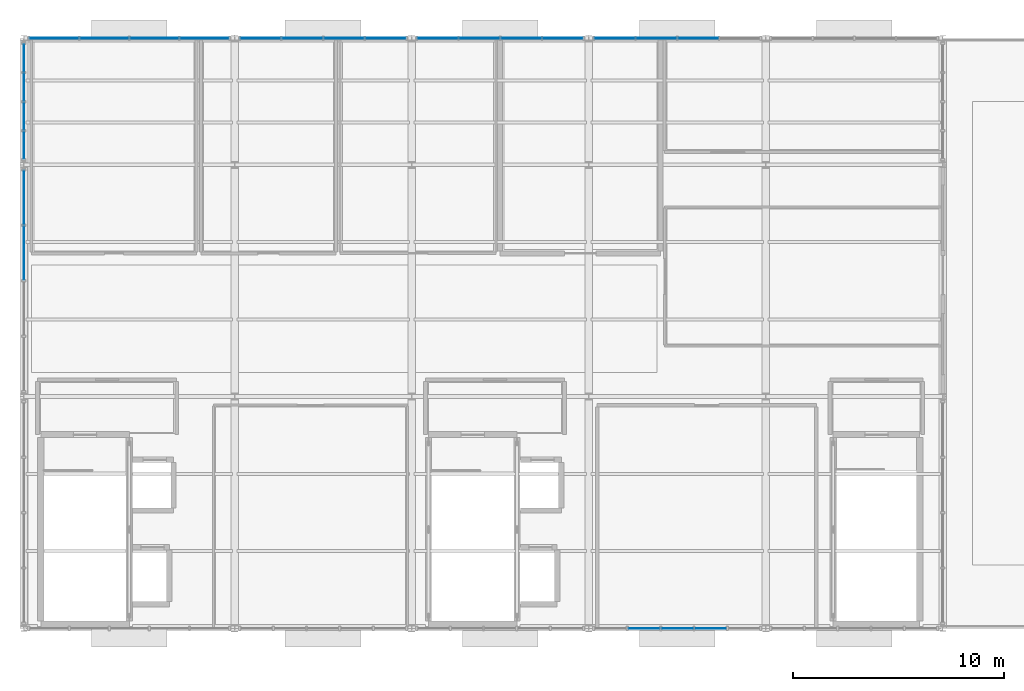
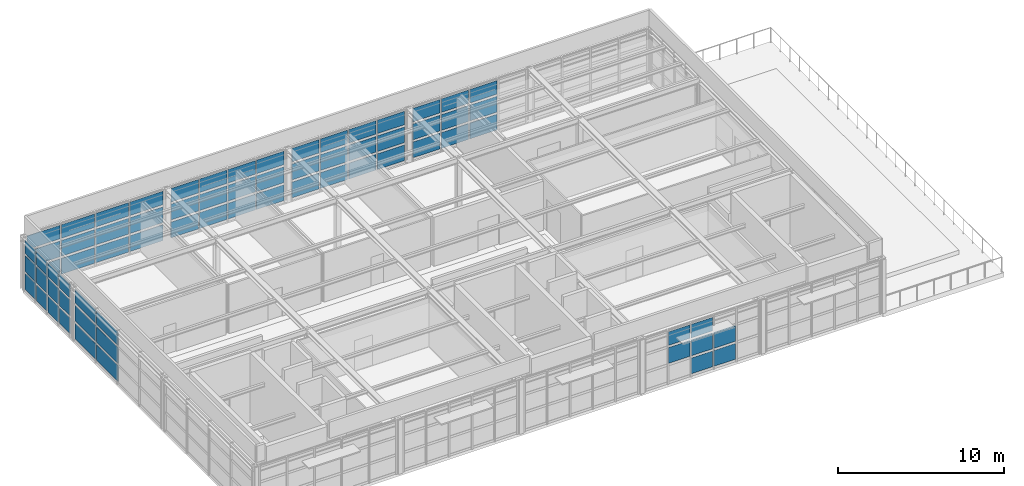
# One storey, part 12 of 18: 70 plates, 7 elements without a shape of their own.
"""IFC4 building model written with IfcOpenShell, lengths in metres."""

from ifc_helpers import new_model, si_unit, direction, frame, origin, origin_2d, place, context, subcontext, project, spatial, rectangle, extrude, material, layer, layer_set, type_object, element, aggregate, save


model = new_model("IFC4")

# Units and contexts
model_context = context("Model", 3, precision=1e-05, world=origin(), true_north=direction((0.0, 1.0)))
body_context = subcontext(model_context, "Body", "Model", "MODEL_VIEW")
ifc_project = project(units=[si_unit("LENGTHUNIT", "METRE"), si_unit("AREAUNIT", "SQUARE_METRE"), si_unit("VOLUMEUNIT", "CUBIC_METRE"), si_unit("PLANEANGLEUNIT", "RADIAN"), si_unit("MASSUNIT", "GRAM", prefix="KILO")], contexts=[model_context])

# Site, building, storey
site_placement = place(None, origin())
site = spatial("IfcSite", under=ifc_project, at=site_placement, CompositionType="ELEMENT")
building_placement = place(site_placement, origin())
building = spatial("IfcBuilding", under=site, at=building_placement, Name="Sitalva Quay Ferry Terminal", CompositionType="ELEMENT")
storey_placement = place(building_placement, frame((0.0, 0.0, 18.60009765625)))
storey = spatial("IfcBuildingStorey", under=building, at=storey_placement, Name="L05", CompositionType="ELEMENT", Elevation=18.60009765625)

# Curtain wall, plates
ifc_material_1 = material(Name="Anodised Aluminium & Low-E Glazing", Category="aluminium")
ifc_layer_1 = layer(ifc_material_1, 0.159912109375)
ifc_layer_set_1 = layer_set([ifc_layer_1], Name="Anodised Aluminium & Low-E Glazing")
curtain_wall_type = type_object("IfcCurtainWallType", Name="CW_VTS_Sloped", PredefinedType="USERDEFINED", material=ifc_layer_set_1)
curtain_wall_1_placement = place(storey_placement, origin())
curtain_wall_1 = element("IfcCurtainWall", 1, at=curtain_wall_1_placement, inside=storey, type_object=curtain_wall_type, Name="L05 VTS bridge north glazing (CW-L05-155)", ObjectType="CURTAIN_WALL", PredefinedType="USERDEFINED")
ifc_material_2 = material(Name="Anti-Glare Bridge Laminated Glazing", Category="glass")
ifc_layer_2 = layer(ifc_material_2, 0.0380859375)
ifc_layer_set_2 = layer_set([ifc_layer_2], Name="Anti-Glare Bridge Laminated Glazing")
plate_type_1 = type_object("IfcPlateType", Name="Panel_Bridge_IGU_38", PredefinedType="CURTAIN_PANEL", material=ifc_layer_set_2)
plate_1_placement = place(storey_placement, frame((75.429931640625, 106.0, 1.48486328125), z_axis=(0.0, 0.0, 1.0), x_axis=(1.0, 0.0, 0.0)))
plate_1 = element("IfcPlate", 2, at=plate_1_placement, type_object=plate_type_1, Name="CW-L05-155-P0-1", PredefinedType="CURTAIN_PANEL", context=body_context, shape_type="SweptSolid", body=[
    extrude(rectangle(XDim=2.2900390625, YDim=0.0380859375, at=origin_2d()), origin(), (0.0, 0.0, 1.0), 1.155029296875),
])
plate_2_placement = place(storey_placement, frame((75.429931640625, 106.0, 2.8046875), z_axis=(0.0, 0.0, 1.0), x_axis=(1.0, 0.0, 0.0)))
plate_2 = element("IfcPlate", 3, at=plate_2_placement, type_object=plate_type_1, Name="CW-L05-155-P0-2", PredefinedType="CURTAIN_PANEL", context=body_context, shape_type="SweptSolid", body=[
    extrude(rectangle(XDim=2.2900390625, YDim=0.0380859375, at=origin_2d()), origin(), (0.0, 0.0, 1.0), 0.989990234375),
])
plate_3_placement = place(storey_placement, frame((77.81005859375, 106.0, 1.48486328125), z_axis=(0.0, 0.0, 1.0), x_axis=(1.0, 0.0, 0.0)))
plate_3 = element("IfcPlate", 4, at=plate_3_placement, type_object=plate_type_1, Name="CW-L05-155-P1-1", PredefinedType="CURTAIN_PANEL", context=body_context, shape_type="SweptSolid", body=[
    extrude(rectangle(XDim=2.2900390625, YDim=0.0380859375, at=origin_2d()), origin(), (0.0, 0.0, 1.0), 1.155029296875),
])
plate_4_placement = place(storey_placement, frame((77.81005859375, 106.0, 2.8046875), z_axis=(0.0, 0.0, 1.0), x_axis=(1.0, 0.0, 0.0)))
plate_4 = element("IfcPlate", 5, at=plate_4_placement, type_object=plate_type_1, Name="CW-L05-155-P1-2", PredefinedType="CURTAIN_PANEL", context=body_context, shape_type="SweptSolid", body=[
    extrude(rectangle(XDim=2.2900390625, YDim=0.0380859375, at=origin_2d()), origin(), (0.0, 0.0, 1.0), 0.989990234375),
])
plate_5_placement = place(storey_placement, frame((80.18994140625, 106.0, 1.48486328125), z_axis=(0.0, 0.0, 1.0), x_axis=(1.0, 0.0, 0.0)))
plate_5 = element("IfcPlate", 6, at=plate_5_placement, type_object=plate_type_1, Name="CW-L05-155-P2-1", PredefinedType="CURTAIN_PANEL", context=body_context, shape_type="SweptSolid", body=[
    extrude(rectangle(XDim=2.2900390625, YDim=0.0380859375, at=origin_2d()), origin(), (0.0, 0.0, 1.0), 1.155029296875),
])
plate_6_placement = place(storey_placement, frame((80.18994140625, 106.0, 2.8046875), z_axis=(0.0, 0.0, 1.0), x_axis=(1.0, 0.0, 0.0)))
plate_6 = element("IfcPlate", 7, at=plate_6_placement, type_object=plate_type_1, Name="CW-L05-155-P2-2", PredefinedType="CURTAIN_PANEL", context=body_context, shape_type="SweptSolid", body=[
    extrude(rectangle(XDim=2.2900390625, YDim=0.0380859375, at=origin_2d()), origin(), (0.0, 0.0, 1.0), 0.989990234375),
])
plate_7_placement = place(storey_placement, frame((82.570068359375, 106.0, 1.48486328125), z_axis=(0.0, 0.0, 1.0), x_axis=(1.0, 0.0, 0.0)))
plate_7 = element("IfcPlate", 8, at=plate_7_placement, type_object=plate_type_1, Name="CW-L05-155-P3-1", PredefinedType="CURTAIN_PANEL", context=body_context, shape_type="SweptSolid", body=[
    extrude(rectangle(XDim=2.2900390625, YDim=0.0380859375, at=origin_2d()), origin(), (0.0, 0.0, 1.0), 1.155029296875),
])
plate_8_placement = place(storey_placement, frame((82.570068359375, 106.0, 2.8046875), z_axis=(0.0, 0.0, 1.0), x_axis=(1.0, 0.0, 0.0)))
plate_8 = element("IfcPlate", 9, at=plate_8_placement, type_object=plate_type_1, Name="CW-L05-155-P3-2", PredefinedType="CURTAIN_PANEL", context=body_context, shape_type="SweptSolid", body=[
    extrude(rectangle(XDim=2.2900390625, YDim=0.0380859375, at=origin_2d()), origin(), (0.0, 0.0, 1.0), 0.989990234375),
])

curtain_wall_2_placement = place(storey_placement, origin())
curtain_wall_2 = element("IfcCurtainWall", 10, at=curtain_wall_2_placement, inside=storey, type_object=curtain_wall_type, Name="L05 VTS bridge north glazing (CW-L05-157)", ObjectType="CURTAIN_WALL", PredefinedType="USERDEFINED")
plate_9_placement = place(storey_placement, frame((85.22998046875, 106.0, 1.48486328125), z_axis=(0.0, 0.0, 1.0), x_axis=(1.0, 0.0, 0.0)))
plate_9 = element("IfcPlate", 11, at=plate_9_placement, type_object=plate_type_1, Name="CW-L05-157-P0-1", PredefinedType="CURTAIN_PANEL", context=body_context, shape_type="SweptSolid", body=[
    extrude(rectangle(XDim=1.889892578125, YDim=0.0380859375, at=origin_2d()), origin(), (0.0, 0.0, 1.0), 1.155029296875),
])
plate_10_placement = place(storey_placement, frame((85.22998046875, 106.0, 2.8046875), z_axis=(0.0, 0.0, 1.0), x_axis=(1.0, 0.0, 0.0)))
plate_10 = element("IfcPlate", 12, at=plate_10_placement, type_object=plate_type_1, Name="CW-L05-157-P0-2", PredefinedType="CURTAIN_PANEL", context=body_context, shape_type="SweptSolid", body=[
    extrude(rectangle(XDim=1.889892578125, YDim=0.0380859375, at=origin_2d()), origin(), (0.0, 0.0, 1.0), 0.989990234375),
])
plate_11_placement = place(storey_placement, frame((87.2099609375, 106.0, 1.48486328125), z_axis=(0.0, 0.0, 1.0), x_axis=(1.0, 0.0, 0.0)))
plate_11 = element("IfcPlate", 13, at=plate_11_placement, type_object=plate_type_1, Name="CW-L05-157-P1-1", PredefinedType="CURTAIN_PANEL", context=body_context, shape_type="SweptSolid", body=[
    extrude(rectangle(XDim=1.889892578125, YDim=0.0380859375, at=origin_2d()), origin(), (0.0, 0.0, 1.0), 1.155029296875),
])
plate_12_placement = place(storey_placement, frame((87.2099609375, 106.0, 2.8046875), z_axis=(0.0, 0.0, 1.0), x_axis=(1.0, 0.0, 0.0)))
plate_12 = element("IfcPlate", 14, at=plate_12_placement, type_object=plate_type_1, Name="CW-L05-157-P1-2", PredefinedType="CURTAIN_PANEL", context=body_context, shape_type="SweptSolid", body=[
    extrude(rectangle(XDim=1.889892578125, YDim=0.0380859375, at=origin_2d()), origin(), (0.0, 0.0, 1.0), 0.989990234375),
])
plate_13_placement = place(storey_placement, frame((89.18994140625, 106.0, 1.48486328125), z_axis=(0.0, 0.0, 1.0), x_axis=(1.0, 0.0, 0.0)))
plate_13 = element("IfcPlate", 15, at=plate_13_placement, type_object=plate_type_1, Name="CW-L05-157-P2-1", PredefinedType="CURTAIN_PANEL", context=body_context, shape_type="SweptSolid", body=[
    extrude(rectangle(XDim=1.889892578125, YDim=0.0380859375, at=origin_2d()), origin(), (0.0, 0.0, 1.0), 1.155029296875),
])
plate_14_placement = place(storey_placement, frame((89.18994140625, 106.0, 2.8046875), z_axis=(0.0, 0.0, 1.0), x_axis=(1.0, 0.0, 0.0)))
plate_14 = element("IfcPlate", 16, at=plate_14_placement, type_object=plate_type_1, Name="CW-L05-157-P2-2", PredefinedType="CURTAIN_PANEL", context=body_context, shape_type="SweptSolid", body=[
    extrude(rectangle(XDim=1.889892578125, YDim=0.0380859375, at=origin_2d()), origin(), (0.0, 0.0, 1.0), 0.989990234375),
])
plate_15_placement = place(storey_placement, frame((91.169921875, 106.0, 1.48486328125), z_axis=(0.0, 0.0, 1.0), x_axis=(1.0, 0.0, 0.0)))
plate_15 = element("IfcPlate", 17, at=plate_15_placement, type_object=plate_type_1, Name="CW-L05-157-P3-1", PredefinedType="CURTAIN_PANEL", context=body_context, shape_type="SweptSolid", body=[
    extrude(rectangle(XDim=1.889892578125, YDim=0.0380859375, at=origin_2d()), origin(), (0.0, 0.0, 1.0), 1.155029296875),
])
plate_16_placement = place(storey_placement, frame((91.169921875, 106.0, 2.8046875), z_axis=(0.0, 0.0, 1.0), x_axis=(1.0, 0.0, 0.0)))
plate_16 = element("IfcPlate", 18, at=plate_16_placement, type_object=plate_type_1, Name="CW-L05-157-P3-2", PredefinedType="CURTAIN_PANEL", context=body_context, shape_type="SweptSolid", body=[
    extrude(rectangle(XDim=1.889892578125, YDim=0.0380859375, at=origin_2d()), origin(), (0.0, 0.0, 1.0), 0.989990234375),
])

curtain_wall_3_placement = place(storey_placement, origin())
curtain_wall_3 = element("IfcCurtainWall", 19, at=curtain_wall_3_placement, inside=storey, type_object=curtain_wall_type, Name="L05 VTS bridge north glazing (CW-L05-159)", ObjectType="CURTAIN_WALL", PredefinedType="USERDEFINED")
plate_17_placement = place(storey_placement, frame((93.6298828125, 106.0, 1.48486328125), z_axis=(0.0, 0.0, 1.0), x_axis=(1.0, 0.0, 0.0)))
plate_17 = element("IfcPlate", 20, at=plate_17_placement, type_object=plate_type_1, Name="CW-L05-159-P0-1", PredefinedType="CURTAIN_PANEL", context=body_context, shape_type="SweptSolid", body=[
    extrude(rectangle(XDim=1.889892578125, YDim=0.0380859375, at=origin_2d()), origin(), (0.0, 0.0, 1.0), 1.155029296875),
])
plate_18_placement = place(storey_placement, frame((93.6298828125, 106.0, 2.8046875), z_axis=(0.0, 0.0, 1.0), x_axis=(1.0, 0.0, 0.0)))
plate_18 = element("IfcPlate", 21, at=plate_18_placement, type_object=plate_type_1, Name="CW-L05-159-P0-2", PredefinedType="CURTAIN_PANEL", context=body_context, shape_type="SweptSolid", body=[
    extrude(rectangle(XDim=1.889892578125, YDim=0.0380859375, at=origin_2d()), origin(), (0.0, 0.0, 1.0), 0.989990234375),
])
plate_19_placement = place(storey_placement, frame((95.610107421875, 106.0, 1.48486328125), z_axis=(0.0, 0.0, 1.0), x_axis=(1.0, 0.0, 0.0)))
plate_19 = element("IfcPlate", 22, at=plate_19_placement, type_object=plate_type_1, Name="CW-L05-159-P1-1", PredefinedType="CURTAIN_PANEL", context=body_context, shape_type="SweptSolid", body=[
    extrude(rectangle(XDim=1.889892578125, YDim=0.0380859375, at=origin_2d()), origin(), (0.0, 0.0, 1.0), 1.155029296875),
])
plate_20_placement = place(storey_placement, frame((95.610107421875, 106.0, 2.8046875), z_axis=(0.0, 0.0, 1.0), x_axis=(1.0, 0.0, 0.0)))
plate_20 = element("IfcPlate", 23, at=plate_20_placement, type_object=plate_type_1, Name="CW-L05-159-P1-2", PredefinedType="CURTAIN_PANEL", context=body_context, shape_type="SweptSolid", body=[
    extrude(rectangle(XDim=1.889892578125, YDim=0.0380859375, at=origin_2d()), origin(), (0.0, 0.0, 1.0), 0.989990234375),
])
plate_21_placement = place(storey_placement, frame((97.590087890625, 106.0, 1.48486328125), z_axis=(0.0, 0.0, 1.0), x_axis=(1.0, 0.0, 0.0)))
plate_21 = element("IfcPlate", 24, at=plate_21_placement, type_object=plate_type_1, Name="CW-L05-159-P2-1", PredefinedType="CURTAIN_PANEL", context=body_context, shape_type="SweptSolid", body=[
    extrude(rectangle(XDim=1.889892578125, YDim=0.0380859375, at=origin_2d()), origin(), (0.0, 0.0, 1.0), 1.155029296875),
])
plate_22_placement = place(storey_placement, frame((97.590087890625, 106.0, 2.8046875), z_axis=(0.0, 0.0, 1.0), x_axis=(1.0, 0.0, 0.0)))
plate_22 = element("IfcPlate", 25, at=plate_22_placement, type_object=plate_type_1, Name="CW-L05-159-P2-2", PredefinedType="CURTAIN_PANEL", context=body_context, shape_type="SweptSolid", body=[
    extrude(rectangle(XDim=1.889892578125, YDim=0.0380859375, at=origin_2d()), origin(), (0.0, 0.0, 1.0), 0.989990234375),
])
plate_23_placement = place(storey_placement, frame((99.570068359375, 106.0, 1.48486328125), z_axis=(0.0, 0.0, 1.0), x_axis=(1.0, 0.0, 0.0)))
plate_23 = element("IfcPlate", 26, at=plate_23_placement, type_object=plate_type_1, Name="CW-L05-159-P3-1", PredefinedType="CURTAIN_PANEL", context=body_context, shape_type="SweptSolid", body=[
    extrude(rectangle(XDim=1.889892578125, YDim=0.0380859375, at=origin_2d()), origin(), (0.0, 0.0, 1.0), 1.155029296875),
])
plate_24_placement = place(storey_placement, frame((99.570068359375, 106.0, 2.8046875), z_axis=(0.0, 0.0, 1.0), x_axis=(1.0, 0.0, 0.0)))
plate_24 = element("IfcPlate", 27, at=plate_24_placement, type_object=plate_type_1, Name="CW-L05-159-P3-2", PredefinedType="CURTAIN_PANEL", context=body_context, shape_type="SweptSolid", body=[
    extrude(rectangle(XDim=1.889892578125, YDim=0.0380859375, at=origin_2d()), origin(), (0.0, 0.0, 1.0), 0.989990234375),
])

curtain_wall_4_placement = place(storey_placement, origin())
curtain_wall_4 = element("IfcCurtainWall", 28, at=curtain_wall_4_placement, inside=storey, type_object=curtain_wall_type, Name="L05 VTS bridge north glazing (CW-L05-161)", ObjectType="CURTAIN_WALL", PredefinedType="USERDEFINED")
plate_25_placement = place(storey_placement, frame((102.030029296875, 106.0, 1.48486328125), z_axis=(0.0, 0.0, 1.0), x_axis=(1.0, 0.0, 0.0)))
plate_25 = element("IfcPlate", 29, at=plate_25_placement, type_object=plate_type_1, Name="CW-L05-161-P0-1", PredefinedType="CURTAIN_PANEL", context=body_context, shape_type="SweptSolid", body=[
    extrude(rectangle(XDim=1.889892578125, YDim=0.0380859375, at=origin_2d()), origin(), (0.0, 0.0, 1.0), 1.155029296875),
])
plate_26_placement = place(storey_placement, frame((102.030029296875, 106.0, 2.8046875), z_axis=(0.0, 0.0, 1.0), x_axis=(1.0, 0.0, 0.0)))
plate_26 = element("IfcPlate", 30, at=plate_26_placement, type_object=plate_type_1, Name="CW-L05-161-P0-2", PredefinedType="CURTAIN_PANEL", context=body_context, shape_type="SweptSolid", body=[
    extrude(rectangle(XDim=1.889892578125, YDim=0.0380859375, at=origin_2d()), origin(), (0.0, 0.0, 1.0), 0.989990234375),
])
plate_27_placement = place(storey_placement, frame((104.010009765625, 106.0, 1.48486328125), z_axis=(0.0, 0.0, 1.0), x_axis=(1.0, 0.0, 0.0)))
plate_27 = element("IfcPlate", 31, at=plate_27_placement, type_object=plate_type_1, Name="CW-L05-161-P1-1", PredefinedType="CURTAIN_PANEL", context=body_context, shape_type="SweptSolid", body=[
    extrude(rectangle(XDim=1.889892578125, YDim=0.0380859375, at=origin_2d()), origin(), (0.0, 0.0, 1.0), 1.155029296875),
])
plate_28_placement = place(storey_placement, frame((104.010009765625, 106.0, 2.8046875), z_axis=(0.0, 0.0, 1.0), x_axis=(1.0, 0.0, 0.0)))
plate_28 = element("IfcPlate", 32, at=plate_28_placement, type_object=plate_type_1, Name="CW-L05-161-P1-2", PredefinedType="CURTAIN_PANEL", context=body_context, shape_type="SweptSolid", body=[
    extrude(rectangle(XDim=1.889892578125, YDim=0.0380859375, at=origin_2d()), origin(), (0.0, 0.0, 1.0), 0.989990234375),
])
plate_29_placement = place(storey_placement, frame((105.989990234375, 106.0, 1.48486328125), z_axis=(0.0, 0.0, 1.0), x_axis=(1.0, 0.0, 0.0)))
plate_29 = element("IfcPlate", 33, at=plate_29_placement, type_object=plate_type_1, Name="CW-L05-161-P2-1", PredefinedType="CURTAIN_PANEL", context=body_context, shape_type="SweptSolid", body=[
    extrude(rectangle(XDim=1.889892578125, YDim=0.0380859375, at=origin_2d()), origin(), (0.0, 0.0, 1.0), 1.155029296875),
])
plate_30_placement = place(storey_placement, frame((105.989990234375, 106.0, 2.8046875), z_axis=(0.0, 0.0, 1.0), x_axis=(1.0, 0.0, 0.0)))
plate_30 = element("IfcPlate", 34, at=plate_30_placement, type_object=plate_type_1, Name="CW-L05-161-P2-2", PredefinedType="CURTAIN_PANEL", context=body_context, shape_type="SweptSolid", body=[
    extrude(rectangle(XDim=1.889892578125, YDim=0.0380859375, at=origin_2d()), origin(), (0.0, 0.0, 1.0), 0.989990234375),
])

curtain_wall_5_placement = place(storey_placement, origin())
curtain_wall_5 = element("IfcCurtainWall", 35, at=curtain_wall_5_placement, inside=storey, type_object=curtain_wall_type, Name="L05 VTS west panoramic glazing (CW-L05-151)", ObjectType="CURTAIN_WALL", PredefinedType="USERDEFINED")
ifc_material_3 = material(Name="Acoustic Laminated Marine Glazing", Category="glass")
ifc_layer_3 = layer(ifc_material_3, 0.033935546875)
ifc_layer_set_3 = layer_set([ifc_layer_3], Name="Acoustic Laminated Marine Glazing")
plate_type_2 = type_object("IfcPlateType", Name="Panel_Marine_IGU_34", PredefinedType="CURTAIN_PANEL", material=ifc_layer_set_3)
plate_31_placement = place(storey_placement, frame((74.0, 95.81494140625, 0.1650390625), z_axis=(0.0, 0.0, 1.0), x_axis=(0.0, 1.0, 0.0)))
plate_31 = element("IfcPlate", 36, at=plate_31_placement, type_object=plate_type_2, Name="CW-L05-151-P2-0", PredefinedType="CURTAIN_PANEL", context=body_context, shape_type="SweptSolid", body=[
    extrude(rectangle(XDim=2.5400390625, YDim=0.033935546875, at=origin_2d()), origin(), (0.0, 0.0, 1.0), 1.155029296875),
])
plate_32_placement = place(storey_placement, frame((74.0, 95.81494140625, 1.48486328125), z_axis=(0.0, 0.0, 1.0), x_axis=(0.0, 1.0, 0.0)))
plate_32 = element("IfcPlate", 37, at=plate_32_placement, type_object=plate_type_2, Name="CW-L05-151-P2-1", PredefinedType="CURTAIN_PANEL", context=body_context, shape_type="SweptSolid", body=[
    extrude(rectangle(XDim=2.5400390625, YDim=0.033935546875, at=origin_2d()), origin(), (0.0, 0.0, 1.0), 1.155029296875),
])
plate_33_placement = place(storey_placement, frame((74.0, 95.81494140625, 2.8046875), z_axis=(0.0, 0.0, 1.0), x_axis=(0.0, 1.0, 0.0)))
plate_33 = element("IfcPlate", 38, at=plate_33_placement, type_object=plate_type_2, Name="CW-L05-151-P2-2", PredefinedType="CURTAIN_PANEL", context=body_context, shape_type="SweptSolid", body=[
    extrude(rectangle(XDim=2.5400390625, YDim=0.033935546875, at=origin_2d()), origin(), (0.0, 0.0, 1.0), 0.989990234375),
])
plate_34_placement = place(storey_placement, frame((74.0, 98.445068359375, 0.1650390625), z_axis=(0.0, 0.0, 1.0), x_axis=(0.0, 1.0, 0.0)))
plate_34 = element("IfcPlate", 39, at=plate_34_placement, type_object=plate_type_2, Name="CW-L05-151-P3-0", PredefinedType="CURTAIN_PANEL", context=body_context, shape_type="SweptSolid", body=[
    extrude(rectangle(XDim=2.5400390625, YDim=0.033935546875, at=origin_2d()), origin(), (0.0, 0.0, 1.0), 1.155029296875),
])
plate_35_placement = place(storey_placement, frame((74.0, 98.445068359375, 1.48486328125), z_axis=(0.0, 0.0, 1.0), x_axis=(0.0, 1.0, 0.0)))
plate_35 = element("IfcPlate", 40, at=plate_35_placement, type_object=plate_type_2, Name="CW-L05-151-P3-1", PredefinedType="CURTAIN_PANEL", context=body_context, shape_type="SweptSolid", body=[
    extrude(rectangle(XDim=2.5400390625, YDim=0.033935546875, at=origin_2d()), origin(), (0.0, 0.0, 1.0), 1.155029296875),
])
plate_36_placement = place(storey_placement, frame((74.0, 98.445068359375, 2.8046875), z_axis=(0.0, 0.0, 1.0), x_axis=(0.0, 1.0, 0.0)))
plate_36 = element("IfcPlate", 41, at=plate_36_placement, type_object=plate_type_2, Name="CW-L05-151-P3-2", PredefinedType="CURTAIN_PANEL", context=body_context, shape_type="SweptSolid", body=[
    extrude(rectangle(XDim=2.5400390625, YDim=0.033935546875, at=origin_2d()), origin(), (0.0, 0.0, 1.0), 0.989990234375),
])
aggregate(curtain_wall_5, [plate_31, plate_32, plate_33, plate_34, plate_35, plate_36])

curtain_wall_6_placement = place(storey_placement, origin())
curtain_wall_6 = element("IfcCurtainWall", 42, at=curtain_wall_6_placement, inside=storey, type_object=curtain_wall_type, Name="L05 VTS west panoramic glazing (CW-L05-152)", ObjectType="CURTAIN_WALL", PredefinedType="USERDEFINED")
plate_37_placement = place(storey_placement, frame((74.0, 100.929931640625, 0.1650390625), z_axis=(0.0, 0.0, 1.0), x_axis=(0.0, 1.0, 0.0)))
plate_37 = element("IfcPlate", 43, at=plate_37_placement, type_object=plate_type_2, Name="CW-L05-152-P0-0", PredefinedType="CURTAIN_PANEL", context=body_context, shape_type="SweptSolid", body=[
    extrude(rectangle(XDim=1.2900390625, YDim=0.033935546875, at=origin_2d()), origin(), (0.0, 0.0, 1.0), 1.155029296875),
])
plate_38_placement = place(storey_placement, frame((74.0, 100.929931640625, 1.48486328125), z_axis=(0.0, 0.0, 1.0), x_axis=(0.0, 1.0, 0.0)))
plate_38 = element("IfcPlate", 44, at=plate_38_placement, type_object=plate_type_2, Name="CW-L05-152-P0-1", PredefinedType="CURTAIN_PANEL", context=body_context, shape_type="SweptSolid", body=[
    extrude(rectangle(XDim=1.2900390625, YDim=0.033935546875, at=origin_2d()), origin(), (0.0, 0.0, 1.0), 1.155029296875),
])
plate_39_placement = place(storey_placement, frame((74.0, 100.929931640625, 2.8046875), z_axis=(0.0, 0.0, 1.0), x_axis=(0.0, 1.0, 0.0)))
plate_39 = element("IfcPlate", 45, at=plate_39_placement, type_object=plate_type_2, Name="CW-L05-152-P0-2", PredefinedType="CURTAIN_PANEL", context=body_context, shape_type="SweptSolid", body=[
    extrude(rectangle(XDim=1.2900390625, YDim=0.033935546875, at=origin_2d()), origin(), (0.0, 0.0, 1.0), 0.989990234375),
])
plate_40_placement = place(storey_placement, frame((74.0, 102.31005859375, 0.1650390625), z_axis=(0.0, 0.0, 1.0), x_axis=(0.0, 1.0, 0.0)))
plate_40 = element("IfcPlate", 46, at=plate_40_placement, type_object=plate_type_2, Name="CW-L05-152-P1-0", PredefinedType="CURTAIN_PANEL", context=body_context, shape_type="SweptSolid", body=[
    extrude(rectangle(XDim=1.2900390625, YDim=0.033935546875, at=origin_2d()), origin(), (0.0, 0.0, 1.0), 1.155029296875),
])
plate_41_placement = place(storey_placement, frame((74.0, 102.31005859375, 1.48486328125), z_axis=(0.0, 0.0, 1.0), x_axis=(0.0, 1.0, 0.0)))
plate_41 = element("IfcPlate", 47, at=plate_41_placement, type_object=plate_type_2, Name="CW-L05-152-P1-1", PredefinedType="CURTAIN_PANEL", context=body_context, shape_type="SweptSolid", body=[
    extrude(rectangle(XDim=1.2900390625, YDim=0.033935546875, at=origin_2d()), origin(), (0.0, 0.0, 1.0), 1.155029296875),
])
plate_42_placement = place(storey_placement, frame((74.0, 102.31005859375, 2.8046875), z_axis=(0.0, 0.0, 1.0), x_axis=(0.0, 1.0, 0.0)))
plate_42 = element("IfcPlate", 48, at=plate_42_placement, type_object=plate_type_2, Name="CW-L05-152-P1-2", PredefinedType="CURTAIN_PANEL", context=body_context, shape_type="SweptSolid", body=[
    extrude(rectangle(XDim=1.2900390625, YDim=0.033935546875, at=origin_2d()), origin(), (0.0, 0.0, 1.0), 0.989990234375),
])
plate_43_placement = place(storey_placement, frame((74.0, 103.68994140625, 0.1650390625), z_axis=(0.0, 0.0, 1.0), x_axis=(0.0, 1.0, 0.0)))
plate_43 = element("IfcPlate", 49, at=plate_43_placement, type_object=plate_type_2, Name="CW-L05-152-P2-0", PredefinedType="CURTAIN_PANEL", context=body_context, shape_type="SweptSolid", body=[
    extrude(rectangle(XDim=1.2900390625, YDim=0.033935546875, at=origin_2d()), origin(), (0.0, 0.0, 1.0), 1.155029296875),
])
plate_44_placement = place(storey_placement, frame((74.0, 103.68994140625, 1.48486328125), z_axis=(0.0, 0.0, 1.0), x_axis=(0.0, 1.0, 0.0)))
plate_44 = element("IfcPlate", 50, at=plate_44_placement, type_object=plate_type_2, Name="CW-L05-152-P2-1", PredefinedType="CURTAIN_PANEL", context=body_context, shape_type="SweptSolid", body=[
    extrude(rectangle(XDim=1.2900390625, YDim=0.033935546875, at=origin_2d()), origin(), (0.0, 0.0, 1.0), 1.155029296875),
])
plate_45_placement = place(storey_placement, frame((74.0, 103.68994140625, 2.8046875), z_axis=(0.0, 0.0, 1.0), x_axis=(0.0, 1.0, 0.0)))
plate_45 = element("IfcPlate", 51, at=plate_45_placement, type_object=plate_type_2, Name="CW-L05-152-P2-2", PredefinedType="CURTAIN_PANEL", context=body_context, shape_type="SweptSolid", body=[
    extrude(rectangle(XDim=1.2900390625, YDim=0.033935546875, at=origin_2d()), origin(), (0.0, 0.0, 1.0), 0.989990234375),
])
plate_46_placement = place(storey_placement, frame((74.0, 105.070068359375, 0.1650390625), z_axis=(0.0, 0.0, 1.0), x_axis=(0.0, 1.0, 0.0)))
plate_46 = element("IfcPlate", 52, at=plate_46_placement, type_object=plate_type_2, Name="CW-L05-152-P3-0", PredefinedType="CURTAIN_PANEL", context=body_context, shape_type="SweptSolid", body=[
    extrude(rectangle(XDim=1.2900390625, YDim=0.033935546875, at=origin_2d()), origin(), (0.0, 0.0, 1.0), 1.155029296875),
])
plate_47_placement = place(storey_placement, frame((74.0, 105.070068359375, 1.48486328125), z_axis=(0.0, 0.0, 1.0), x_axis=(0.0, 1.0, 0.0)))
plate_47 = element("IfcPlate", 53, at=plate_47_placement, type_object=plate_type_2, Name="CW-L05-152-P3-1", PredefinedType="CURTAIN_PANEL", context=body_context, shape_type="SweptSolid", body=[
    extrude(rectangle(XDim=1.2900390625, YDim=0.033935546875, at=origin_2d()), origin(), (0.0, 0.0, 1.0), 1.155029296875),
])
plate_48_placement = place(storey_placement, frame((74.0, 105.070068359375, 2.8046875), z_axis=(0.0, 0.0, 1.0), x_axis=(0.0, 1.0, 0.0)))
plate_48 = element("IfcPlate", 54, at=plate_48_placement, type_object=plate_type_2, Name="CW-L05-152-P3-2", PredefinedType="CURTAIN_PANEL", context=body_context, shape_type="SweptSolid", body=[
    extrude(rectangle(XDim=1.2900390625, YDim=0.033935546875, at=origin_2d()), origin(), (0.0, 0.0, 1.0), 0.989990234375),
])
aggregate(curtain_wall_6, [plate_37, plate_38, plate_39, plate_40, plate_41, plate_42, plate_43, plate_44, plate_45, plate_46, plate_47, plate_48])

curtain_wall_7_placement = place(storey_placement, origin())
curtain_wall_7 = element("IfcCurtainWall", 55, at=curtain_wall_7_placement, inside=storey, type_object=curtain_wall_type, Name="L05 VTS river-view panoramic south glazing (CW-L05-160)", ObjectType="CURTAIN_WALL", PredefinedType="USERDEFINED")
plate_49_placement = place(storey_placement, frame((103.416015625, 78.0, 1.48486328125), z_axis=(0.0, 0.0, 1.0), x_axis=(1.0, 0.0, 0.0)))
plate_49 = element("IfcPlate", 56, at=plate_49_placement, type_object=plate_type_2, Name="CW-L05-160-P1-1", PredefinedType="CURTAIN_PANEL", context=body_context, shape_type="SweptSolid", body=[
    extrude(rectangle(XDim=1.493896484375, YDim=0.033935546875, at=origin_2d()), origin(), (0.0, 0.0, 1.0), 1.155029296875),
])
plate_50_placement = place(storey_placement, frame((103.416015625, 78.0, 2.8046875), z_axis=(0.0, 0.0, 1.0), x_axis=(1.0, 0.0, 0.0)))
plate_50 = element("IfcPlate", 57, at=plate_50_placement, type_object=plate_type_2, Name="CW-L05-160-P1-2", PredefinedType="CURTAIN_PANEL", context=body_context, shape_type="SweptSolid", body=[
    extrude(rectangle(XDim=1.493896484375, YDim=0.033935546875, at=origin_2d()), origin(), (0.0, 0.0, 1.0), 0.989990234375),
])
plate_51_placement = place(storey_placement, frame((105.0, 78.0, 0.1650390625), z_axis=(0.0, 0.0, 1.0), x_axis=(1.0, 0.0, 0.0)))
plate_51 = element("IfcPlate", 58, at=plate_51_placement, type_object=plate_type_2, Name="CW-L05-160-P2-0", PredefinedType="CURTAIN_PANEL", context=body_context, shape_type="SweptSolid", body=[
    extrude(rectangle(XDim=1.493896484375, YDim=0.033935546875, at=origin_2d()), origin(), (0.0, 0.0, 1.0), 1.155029296875),
])
plate_52_placement = place(storey_placement, frame((105.0, 78.0, 1.48486328125), z_axis=(0.0, 0.0, 1.0), x_axis=(1.0, 0.0, 0.0)))
plate_52 = element("IfcPlate", 59, at=plate_52_placement, type_object=plate_type_2, Name="CW-L05-160-P2-1", PredefinedType="CURTAIN_PANEL", context=body_context, shape_type="SweptSolid", body=[
    extrude(rectangle(XDim=1.493896484375, YDim=0.033935546875, at=origin_2d()), origin(), (0.0, 0.0, 1.0), 1.155029296875),
])
plate_53_placement = place(storey_placement, frame((105.0, 78.0, 2.8046875), z_axis=(0.0, 0.0, 1.0), x_axis=(1.0, 0.0, 0.0)))
plate_53 = element("IfcPlate", 60, at=plate_53_placement, type_object=plate_type_2, Name="CW-L05-160-P2-2", PredefinedType="CURTAIN_PANEL", context=body_context, shape_type="SweptSolid", body=[
    extrude(rectangle(XDim=1.493896484375, YDim=0.033935546875, at=origin_2d()), origin(), (0.0, 0.0, 1.0), 0.989990234375),
])
plate_54_placement = place(storey_placement, frame((106.583984375, 78.0, 0.1650390625), z_axis=(0.0, 0.0, 1.0), x_axis=(1.0, 0.0, 0.0)))
plate_54 = element("IfcPlate", 61, at=plate_54_placement, type_object=plate_type_2, Name="CW-L05-160-P3-0", PredefinedType="CURTAIN_PANEL", context=body_context, shape_type="SweptSolid", body=[
    extrude(rectangle(XDim=1.493896484375, YDim=0.033935546875, at=origin_2d()), origin(), (0.0, 0.0, 1.0), 1.155029296875),
])
plate_55_placement = place(storey_placement, frame((106.583984375, 78.0, 1.48486328125), z_axis=(0.0, 0.0, 1.0), x_axis=(1.0, 0.0, 0.0)))
plate_55 = element("IfcPlate", 62, at=plate_55_placement, type_object=plate_type_2, Name="CW-L05-160-P3-1", PredefinedType="CURTAIN_PANEL", context=body_context, shape_type="SweptSolid", body=[
    extrude(rectangle(XDim=1.493896484375, YDim=0.033935546875, at=origin_2d()), origin(), (0.0, 0.0, 1.0), 1.155029296875),
])
aggregate(curtain_wall_7, [plate_49, plate_50, plate_51, plate_52, plate_53, plate_54, plate_55])

# Plate
ifc_material_4 = material(Name="Insulated Spandrel Cassette", Category="aluminium")
ifc_layer_4 = layer(ifc_material_4, 0.0400390625)
ifc_layer_set_4 = layer_set([ifc_layer_4], Name="Insulated Spandrel Cassette")
plate_type_3 = type_object("IfcPlateType", Name="Panel_Spandrel_Alu_40", PredefinedType="CURTAIN_PANEL", material=ifc_layer_set_4)
plate_56_placement = place(storey_placement, frame((75.429931640625, 106.0, 0.1650390625), z_axis=(0.0, 0.0, 1.0), x_axis=(1.0, 0.0, 0.0)))
plate_56 = element("IfcPlate", 63, at=plate_56_placement, type_object=plate_type_3, Name="CW-L05-155-P0-0", PredefinedType="CURTAIN_PANEL", context=body_context, shape_type="SweptSolid", body=[
    extrude(rectangle(XDim=2.2900390625, YDim=0.0400390625, at=origin_2d()), origin(), (0.0, 0.0, 1.0), 1.155029296875),
])

plate_57_placement = place(storey_placement, frame((77.81005859375, 106.0, 0.1650390625), z_axis=(0.0, 0.0, 1.0), x_axis=(1.0, 0.0, 0.0)))
plate_57 = element("IfcPlate", 64, at=plate_57_placement, type_object=plate_type_3, Name="CW-L05-155-P1-0", PredefinedType="CURTAIN_PANEL", context=body_context, shape_type="SweptSolid", body=[
    extrude(rectangle(XDim=2.2900390625, YDim=0.0400390625, at=origin_2d()), origin(), (0.0, 0.0, 1.0), 1.155029296875),
])

plate_58_placement = place(storey_placement, frame((80.18994140625, 106.0, 0.1650390625), z_axis=(0.0, 0.0, 1.0), x_axis=(1.0, 0.0, 0.0)))
plate_58 = element("IfcPlate", 65, at=plate_58_placement, type_object=plate_type_3, Name="CW-L05-155-P2-0", PredefinedType="CURTAIN_PANEL", context=body_context, shape_type="SweptSolid", body=[
    extrude(rectangle(XDim=2.2900390625, YDim=0.0400390625, at=origin_2d()), origin(), (0.0, 0.0, 1.0), 1.155029296875),
])

plate_59_placement = place(storey_placement, frame((82.570068359375, 106.0, 0.1650390625), z_axis=(0.0, 0.0, 1.0), x_axis=(1.0, 0.0, 0.0)))
plate_59 = element("IfcPlate", 66, at=plate_59_placement, type_object=plate_type_3, Name="CW-L05-155-P3-0", PredefinedType="CURTAIN_PANEL", context=body_context, shape_type="SweptSolid", body=[
    extrude(rectangle(XDim=2.2900390625, YDim=0.0400390625, at=origin_2d()), origin(), (0.0, 0.0, 1.0), 1.155029296875),
])

aggregate(curtain_wall_1, [plate_56, plate_1, plate_2, plate_57, plate_3, plate_4, plate_58, plate_5, plate_6, plate_59, plate_7, plate_8])

plate_60_placement = place(storey_placement, frame((85.22998046875, 106.0, 0.1650390625), z_axis=(0.0, 0.0, 1.0), x_axis=(1.0, 0.0, 0.0)))
plate_60 = element("IfcPlate", 67, at=plate_60_placement, type_object=plate_type_3, Name="CW-L05-157-P0-0", PredefinedType="CURTAIN_PANEL", context=body_context, shape_type="SweptSolid", body=[
    extrude(rectangle(XDim=1.889892578125, YDim=0.0400390625, at=origin_2d()), origin(), (0.0, 0.0, 1.0), 1.155029296875),
])

plate_61_placement = place(storey_placement, frame((87.2099609375, 106.0, 0.1650390625), z_axis=(0.0, 0.0, 1.0), x_axis=(1.0, 0.0, 0.0)))
plate_61 = element("IfcPlate", 68, at=plate_61_placement, type_object=plate_type_3, Name="CW-L05-157-P1-0", PredefinedType="CURTAIN_PANEL", context=body_context, shape_type="SweptSolid", body=[
    extrude(rectangle(XDim=1.889892578125, YDim=0.0400390625, at=origin_2d()), origin(), (0.0, 0.0, 1.0), 1.155029296875),
])

plate_62_placement = place(storey_placement, frame((89.18994140625, 106.0, 0.1650390625), z_axis=(0.0, 0.0, 1.0), x_axis=(1.0, 0.0, 0.0)))
plate_62 = element("IfcPlate", 69, at=plate_62_placement, type_object=plate_type_3, Name="CW-L05-157-P2-0", PredefinedType="CURTAIN_PANEL", context=body_context, shape_type="SweptSolid", body=[
    extrude(rectangle(XDim=1.889892578125, YDim=0.0400390625, at=origin_2d()), origin(), (0.0, 0.0, 1.0), 1.155029296875),
])

plate_63_placement = place(storey_placement, frame((91.169921875, 106.0, 0.1650390625), z_axis=(0.0, 0.0, 1.0), x_axis=(1.0, 0.0, 0.0)))
plate_63 = element("IfcPlate", 70, at=plate_63_placement, type_object=plate_type_3, Name="CW-L05-157-P3-0", PredefinedType="CURTAIN_PANEL", context=body_context, shape_type="SweptSolid", body=[
    extrude(rectangle(XDim=1.889892578125, YDim=0.0400390625, at=origin_2d()), origin(), (0.0, 0.0, 1.0), 1.155029296875),
])

aggregate(curtain_wall_2, [plate_60, plate_9, plate_10, plate_61, plate_11, plate_12, plate_62, plate_13, plate_14, plate_63, plate_15, plate_16])

plate_64_placement = place(storey_placement, frame((93.6298828125, 106.0, 0.1650390625), z_axis=(0.0, 0.0, 1.0), x_axis=(1.0, 0.0, 0.0)))
plate_64 = element("IfcPlate", 71, at=plate_64_placement, type_object=plate_type_3, Name="CW-L05-159-P0-0", PredefinedType="CURTAIN_PANEL", context=body_context, shape_type="SweptSolid", body=[
    extrude(rectangle(XDim=1.889892578125, YDim=0.0400390625, at=origin_2d()), origin(), (0.0, 0.0, 1.0), 1.155029296875),
])

plate_65_placement = place(storey_placement, frame((95.610107421875, 106.0, 0.1650390625), z_axis=(0.0, 0.0, 1.0), x_axis=(1.0, 0.0, 0.0)))
plate_65 = element("IfcPlate", 72, at=plate_65_placement, type_object=plate_type_3, Name="CW-L05-159-P1-0", PredefinedType="CURTAIN_PANEL", context=body_context, shape_type="SweptSolid", body=[
    extrude(rectangle(XDim=1.889892578125, YDim=0.0400390625, at=origin_2d()), origin(), (0.0, 0.0, 1.0), 1.155029296875),
])

plate_66_placement = place(storey_placement, frame((97.590087890625, 106.0, 0.1650390625), z_axis=(0.0, 0.0, 1.0), x_axis=(1.0, 0.0, 0.0)))
plate_66 = element("IfcPlate", 73, at=plate_66_placement, type_object=plate_type_3, Name="CW-L05-159-P2-0", PredefinedType="CURTAIN_PANEL", context=body_context, shape_type="SweptSolid", body=[
    extrude(rectangle(XDim=1.889892578125, YDim=0.0400390625, at=origin_2d()), origin(), (0.0, 0.0, 1.0), 1.155029296875),
])

plate_67_placement = place(storey_placement, frame((99.570068359375, 106.0, 0.1650390625), z_axis=(0.0, 0.0, 1.0), x_axis=(1.0, 0.0, 0.0)))
plate_67 = element("IfcPlate", 74, at=plate_67_placement, type_object=plate_type_3, Name="CW-L05-159-P3-0", PredefinedType="CURTAIN_PANEL", context=body_context, shape_type="SweptSolid", body=[
    extrude(rectangle(XDim=1.889892578125, YDim=0.0400390625, at=origin_2d()), origin(), (0.0, 0.0, 1.0), 1.155029296875),
])

aggregate(curtain_wall_3, [plate_64, plate_17, plate_18, plate_65, plate_19, plate_20, plate_66, plate_21, plate_22, plate_67, plate_23, plate_24])

plate_68_placement = place(storey_placement, frame((102.030029296875, 106.0, 0.1650390625), z_axis=(0.0, 0.0, 1.0), x_axis=(1.0, 0.0, 0.0)))
plate_68 = element("IfcPlate", 75, at=plate_68_placement, type_object=plate_type_3, Name="CW-L05-161-P0-0", PredefinedType="CURTAIN_PANEL", context=body_context, shape_type="SweptSolid", body=[
    extrude(rectangle(XDim=1.889892578125, YDim=0.0400390625, at=origin_2d()), origin(), (0.0, 0.0, 1.0), 1.155029296875),
])

plate_69_placement = place(storey_placement, frame((104.010009765625, 106.0, 0.1650390625), z_axis=(0.0, 0.0, 1.0), x_axis=(1.0, 0.0, 0.0)))
plate_69 = element("IfcPlate", 76, at=plate_69_placement, type_object=plate_type_3, Name="CW-L05-161-P1-0", PredefinedType="CURTAIN_PANEL", context=body_context, shape_type="SweptSolid", body=[
    extrude(rectangle(XDim=1.889892578125, YDim=0.0400390625, at=origin_2d()), origin(), (0.0, 0.0, 1.0), 1.155029296875),
])

plate_70_placement = place(storey_placement, frame((105.989990234375, 106.0, 0.1650390625), z_axis=(0.0, 0.0, 1.0), x_axis=(1.0, 0.0, 0.0)))
plate_70 = element("IfcPlate", 77, at=plate_70_placement, type_object=plate_type_3, Name="CW-L05-161-P2-0", PredefinedType="CURTAIN_PANEL", context=body_context, shape_type="SweptSolid", body=[
    extrude(rectangle(XDim=1.889892578125, YDim=0.0400390625, at=origin_2d()), origin(), (0.0, 0.0, 1.0), 1.155029296875),
])

aggregate(curtain_wall_4, [plate_68, plate_25, plate_26, plate_69, plate_27, plate_28, plate_70, plate_29, plate_30])

save(model, "model.ifc")
